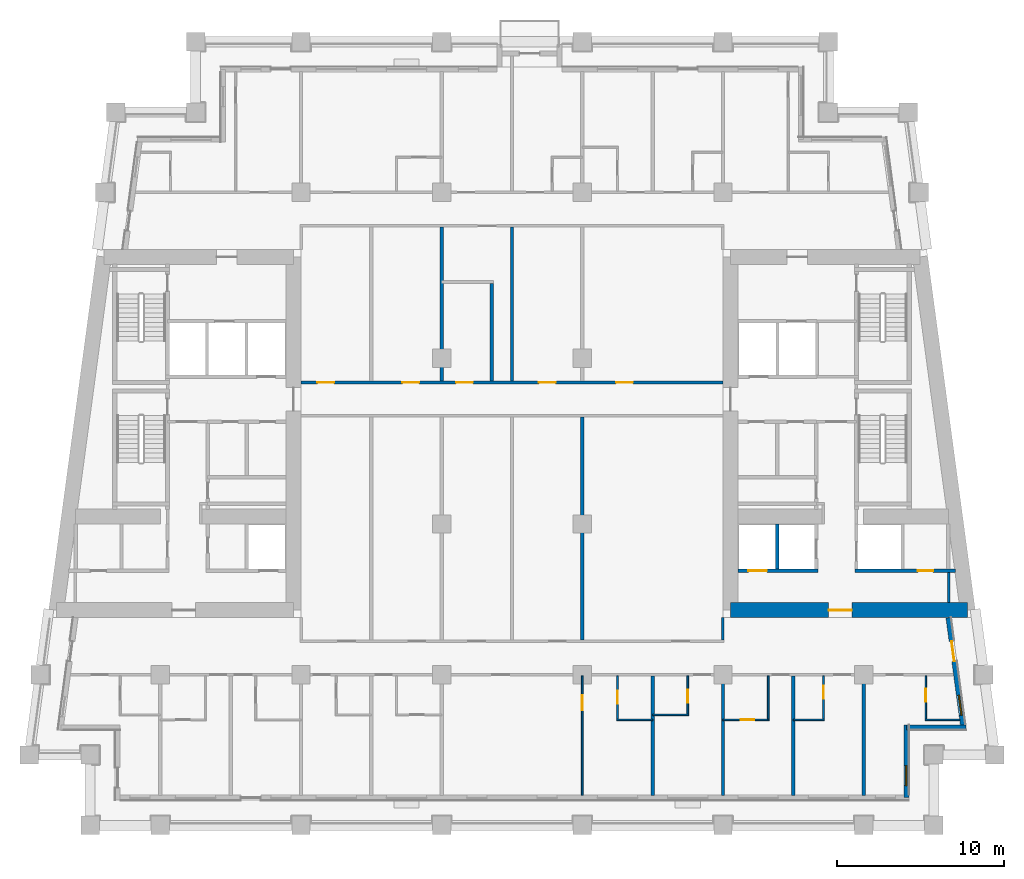
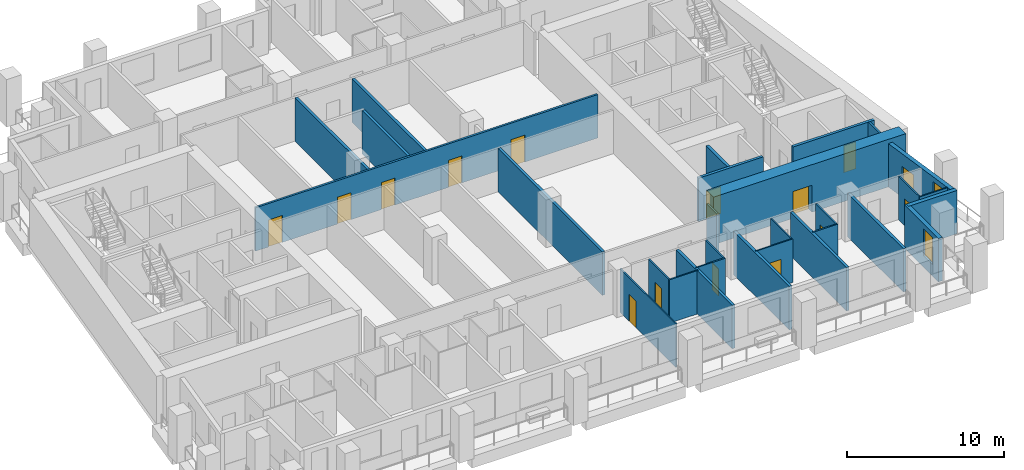
# One storey, part 5 of 13: 29 walls, 15 doors, 2 windows, 17 openings.
"""IFC4 building model written with IfcOpenShell, lengths in metres."""

from ifc_helpers import new_model, si_unit, direction, frame, frame_2d, origin, place, context, subcontext, project, spatial, rectangle, extrude, material, layer, layer_set, type_object, element, fill, save


model = new_model("IFC4")

# Units and contexts
model_context = context("Model", 3, precision=1e-05, world=origin(), true_north=direction((0.0, 1.0)))
body_context = subcontext(model_context, "Body", "Model", "MODEL_VIEW")
ifc_project = project(units=[si_unit("LENGTHUNIT", "METRE"), si_unit("AREAUNIT", "SQUARE_METRE"), si_unit("VOLUMEUNIT", "CUBIC_METRE"), si_unit("PLANEANGLEUNIT", "RADIAN"), si_unit("MASSUNIT", "GRAM", prefix="KILO")], contexts=[model_context])

# Site, building, storey
site_placement = place(None, origin())
site = spatial("IfcSite", under=ifc_project, at=site_placement, CompositionType="ELEMENT")
building_placement = place(site_placement, origin())
building = spatial("IfcBuilding", under=site, at=building_placement, Name="Candeia Pilgrim Tower and Theatre", CompositionType="ELEMENT")
storey_placement = place(building_placement, frame((0.0, 0.0, 181.10009765625)))
storey = spatial("IfcBuildingStorey", under=building, at=storey_placement, Name="L43", CompositionType="ELEMENT", Elevation=181.10009765625)

# Wall, opening, door
ifc_material_1 = material(Name="Concrete C60/75", Category="concrete")
ifc_layer_1 = layer(ifc_material_1, 0.89990234375)
ifc_layer_set_1 = layer_set([ifc_layer_1], Name="Core wall 900 C60/75")
wall_type_1 = type_object("IfcWallType", Name="Core wall 900 C60/75", PredefinedType="SHEAR", material=ifc_layer_set_1)
wall_1_placement = place(storey_placement, frame((140.6162109375, 110.85009765625, 0.0), z_axis=(0.0, 0.0, 1.0), x_axis=(-1.0, 0.0, 0.0)))
wall_1 = element("IfcWall", 1, at=wall_1_placement, inside=storey, type_object=wall_type_1, Name="Core wall E3", PredefinedType="SHEAR", context=body_context, shape_type="SweptSolid", body=[
    extrude(rectangle(XDim=14.166259765625, YDim=0.89990234375, at=frame_2d((7.0830078125, 0.0))), origin(), (0.0, 0.0, 1.0), 3.699951171875),
])
opening_1_placement = place(wall_1_placement, frame((6.911376953125, 0.0, 0.0)))
opening_1 = element("IfcOpeningElement", 2, at=opening_1_placement, cuts=wall_1, Name="Opening L43-D067", PredefinedType="OPENING", context=body_context, shape_type="SweptSolid", body=[
    extrude(rectangle(XDim=1.39990234375, YDim=2.10009765625, at=frame_2d((0.699951171875, 1.050048828125))), frame((0.0, 0.4599609375, 0.0), z_axis=(0.0, -1.0, 0.0), x_axis=(1.0, 0.0, 0.0)), (0.0, 0.0, 1.0), 0.919921875),
])
ifc_material_2 = material(Name="Steel fire door set", Category="steel")
door_type_1 = type_object("IfcDoorType", Name="D-1400-FD60", OperationType="NOTDEFINED", PredefinedType="DOOR", material=ifc_material_2)
door_1_placement = place(opening_1_placement, origin())
door_1 = element("IfcDoor", 3, at=door_1_placement, inside=storey, type_object=door_type_1, Name="Door L43-D067", OperationType="SINGLE_SWING_RIGHT", OverallHeight=2.10009765625, OverallWidth=1.39990234375, PredefinedType="DOOR", context=body_context, shape_type="SweptSolid", body=[
    extrude(rectangle(XDim=1.39990234375, YDim=2.10009765625, at=frame_2d((0.699951171875, 1.050048828125))), frame((0.0, 0.02490234375, 0.0), z_axis=(0.0, -1.0, 0.0), x_axis=(1.0, 0.0, 0.0)), (0.0, 0.0, 1.0), 0.050048828125),
])
fill(opening_1, door_1)

# Wall, opening, window
ifc_material_3 = material(Name="Ceramic block masonry", Category="masonry")
ifc_layer_2 = layer(ifc_material_3, 0.300048828125)
ifc_layer_set_2 = layer_set([ifc_layer_2], Name="EW1 glazing-line wall 300")
wall_type_2 = type_object("IfcWallType", Name="EW1 glazing-line wall 300", PredefinedType="SOLIDWALL", material=ifc_layer_set_2)
wall_2_placement = place(storey_placement, frame((136.949951171875, 99.64990234375, 0.0), z_axis=(0.0, 0.0, 1.0), x_axis=(0.0, 1.0, 0.0)))
wall_2 = element("IfcWall", 4, at=wall_2_placement, inside=storey, type_object=wall_type_2, Name="External wall L43-1.0", PredefinedType="SOLIDWALL", context=body_context, shape_type="SweptSolid", body=[
    extrude(rectangle(XDim=4.35009765625, YDim=0.300048828125, at=frame_2d((2.175048828125, 0.0))), origin(), (0.0, 0.0, 1.0), 3.3798828125),
])
opening_2_placement = place(wall_2_placement, frame((0.72509765625, 0.0, 0.89990234375)))
opening_2 = element("IfcOpeningElement", 5, at=opening_2_placement, cuts=wall_2, Name="Opening W-B", PredefinedType="OPENING", context=body_context, shape_type="SweptSolid", body=[
    extrude(rectangle(XDim=1.199951171875, YDim=2.10009765625, at=frame_2d((0.60009765625, 1.050048828125))), frame((0.0, 0.16015625, 0.0), z_axis=(0.0, -1.0, 0.0), x_axis=(1.0, 0.0, 0.0)), (0.0, 0.0, 1.0), 0.320068359375),
])
ifc_material_4 = material(Name="Aluminium framed double glazing", Category="aluminium")
window_type = type_object("IfcWindowType", Name="W-B window 1200x2100", PartitioningType="SINGLE_PANEL", PredefinedType="WINDOW", material=ifc_material_4)
window_1_placement = place(opening_2_placement, origin())
window_1 = element("IfcWindow", 6, at=window_1_placement, inside=storey, type_object=window_type, Name="Window W-B L43", OverallHeight=2.10009765625, OverallWidth=1.199951171875, PartitioningType="SINGLE_PANEL", PredefinedType="WINDOW", context=body_context, shape_type="SweptSolid", body=[
    extrude(rectangle(XDim=1.199951171875, YDim=2.10009765625, at=frame_2d((0.60009765625, 1.050048828125))), frame((0.0, 0.030029296875, 0.0), z_axis=(0.0, -1.0, 0.0), x_axis=(1.0, 0.0, 0.0)), (0.0, 0.0, 1.0), 0.06005859375),
])
fill(opening_2, window_1)

# Wall
wall_3_placement = place(storey_placement, frame((136.949951171875, 103.85009765625, 0.0), z_axis=(0.0, 0.0, 1.0), x_axis=(1.0, 0.0, 0.0)))
element("IfcWall", 7, at=wall_3_placement, inside=storey, type_object=wall_type_2, Name="External wall L43-2.0", PredefinedType="SOLIDWALL", context=body_context, shape_type="SweptSolid", body=[
    extrude(rectangle(XDim=3.569091796875, YDim=0.300048828125, at=frame_2d((1.78466796875, 0.0))), origin(), (0.0, 0.0, 1.0), 3.3798828125),
])

# Wall, openings, door, window
wall_4_placement = place(storey_placement, frame((140.34765625, 103.85009765625, 0.0), z_axis=(0.0, 0.0, 1.0), x_axis=(-0.133431549479, 0.991058031401, 0.0)))
wall_4 = element("IfcWall", 8, at=wall_4_placement, inside=storey, type_object=wall_type_2, Name="External wall L43-3.0", PredefinedType="SOLIDWALL", context=body_context, shape_type="SweptSolid", body=[
    extrude(rectangle(XDim=6.60888671875, YDim=0.300048828125, at=frame_2d((3.304443359375, 0.0))), origin(), (0.0, 0.0, 1.0), 3.3798828125),
])
opening_3_placement = place(wall_4_placement, frame((0.736572265625, 0.0, 0.89990234375)))
opening_3 = element("IfcOpeningElement", 9, at=opening_3_placement, cuts=wall_4, Name="Opening W-B", PredefinedType="OPENING", context=body_context, shape_type="SweptSolid", body=[
    extrude(rectangle(XDim=1.199951171875, YDim=2.10009765625, at=frame_2d((0.60009765625, 1.050048828125))), frame((0.0, 0.16015625, 0.0), z_axis=(0.0, -1.0, 0.0), x_axis=(1.0, 0.0, 0.0)), (0.0, 0.0, 1.0), 0.320068359375),
])
opening_4_placement = place(wall_4_placement, frame((3.990966796875, 0.0, 0.0)))
opening_4 = element("IfcOpeningElement", 10, at=opening_4_placement, cuts=wall_4, Name="Opening L43-ED412", PredefinedType="OPENING", context=body_context, shape_type="SweptSolid", body=[
    extrude(rectangle(XDim=1.199951171875, YDim=2.39990234375, at=frame_2d((0.60009765625, 1.199951171875))), frame((0.0, 0.16015625, 0.0), z_axis=(0.0, -1.0, 0.0), x_axis=(1.0, 0.0, 0.0)), (0.0, 0.0, 1.0), 0.320068359375),
])
ifc_material_5 = material(Name="Aluminium framed glazed door", Category="aluminium")
door_type_2 = type_object("IfcDoorType", Name="Loggia door 1200x2400", OperationType="DOUBLE_DOOR_SINGLE_SWING", PredefinedType="DOOR", material=ifc_material_5)
door_2_placement = place(opening_4_placement, origin())
door_2 = element("IfcDoor", 11, at=door_2_placement, inside=storey, type_object=door_type_2, Name="Loggia door L43-ED412", OperationType="DOUBLE_DOOR_SINGLE_SWING", OverallHeight=2.39990234375, OverallWidth=1.199951171875, PredefinedType="DOOR", context=body_context, shape_type="SweptSolid", body=[
    extrude(rectangle(XDim=1.199951171875, YDim=2.39990234375, at=frame_2d((0.60009765625, 1.199951171875))), frame((0.0, 0.02490234375, 0.0), z_axis=(0.0, -1.0, 0.0), x_axis=(1.0, 0.0, 0.0)), (0.0, 0.0, 1.0), 0.050048828125),
])
fill(opening_4, door_2)
window_2_placement = place(opening_3_placement, origin())
window_2 = element("IfcWindow", 12, at=window_2_placement, inside=storey, type_object=window_type, Name="Window W-B L43", OverallHeight=2.10009765625, OverallWidth=1.199951171875, PartitioningType="SINGLE_PANEL", PredefinedType="WINDOW", context=body_context, shape_type="SweptSolid", body=[
    extrude(rectangle(XDim=1.199951171875, YDim=2.10009765625, at=frame_2d((0.60009765625, 1.050048828125))), frame((0.0, 0.030029296875, 0.0), z_axis=(0.0, -1.0, 0.0), x_axis=(1.0, 0.0, 0.0)), (0.0, 0.0, 1.0), 0.06005859375),
])
fill(opening_3, window_2)

# Wall
ifc_material_6 = material(Name="Gypsum board partition on steel studs", Category="steel")
ifc_layer_3 = layer(ifc_material_6, 0.10009765625)
ifc_layer_set_3 = layer_set([ifc_layer_3], Name="PW-100 room partition")
wall_type_3 = type_object("IfcWallType", Name="PW-100 room partition", PredefinedType="PARTITIONING", material=ifc_layer_set_3)
wall_5_placement = place(storey_placement, frame((119.64990234375, 104.300048828125, 0.0), z_axis=(0.0, 0.0, 1.0), x_axis=(1.0, 0.0, 0.0)))
element("IfcWall", 13, at=wall_5_placement, inside=storey, type_object=wall_type_3, Name="Room partition L43-003", PredefinedType="PARTITIONING", context=body_context, shape_type="SweptSolid", body=[
    extrude(rectangle(XDim=2.150146484375, YDim=0.10009765625, at=frame_2d((1.0751953125, 0.0))), origin(), (0.0, 0.0, 1.0), 3.3798828125),
])

# Wall, opening, door
wall_6_placement = place(storey_placement, frame((126.0, 104.300048828125, 0.0), z_axis=(0.0, 0.0, 1.0), x_axis=(1.0, 0.0, 0.0)))
wall_6 = element("IfcWall", 14, at=wall_6_placement, inside=storey, type_object=wall_type_3, Name="Room partition L43-004", PredefinedType="PARTITIONING", context=body_context, shape_type="SweptSolid", body=[
    extrude(rectangle(XDim=2.75, YDim=0.10009765625, at=frame_2d((1.375, 0.0))), origin(), (0.0, 0.0, 1.0), 3.3798828125),
])
opening_5_placement = place(wall_6_placement, frame((1.070068359375, 0.0, 0.0)))
opening_5 = element("IfcOpeningElement", 15, at=opening_5_placement, cuts=wall_6, Name="Opening L43-D033", PredefinedType="OPENING", context=body_context, shape_type="SweptSolid", body=[
    extrude(rectangle(XDim=0.800048828125, YDim=2.10009765625, at=frame_2d((0.39990234375, 1.050048828125))), frame((0.0, 0.06005859375, 0.0), z_axis=(0.0, -1.0, 0.0), x_axis=(1.0, 0.0, 0.0)), (0.0, 0.0, 1.0), 0.1201171875),
])
ifc_material_7 = material(Name="Timber door leaf", Category="wood")
door_type_3 = type_object("IfcDoorType", Name="D-800", OperationType="NOTDEFINED", PredefinedType="DOOR", material=ifc_material_7)
door_3_placement = place(opening_5_placement, origin())
door_3 = element("IfcDoor", 16, at=door_3_placement, inside=storey, type_object=door_type_3, Name="Door L43-D033", OperationType="SINGLE_SWING_RIGHT", OverallHeight=2.10009765625, OverallWidth=0.800048828125, PredefinedType="DOOR", context=body_context, shape_type="SweptSolid", body=[
    extrude(rectangle(XDim=0.800048828125, YDim=2.10009765625, at=frame_2d((0.39990234375, 1.050048828125))), frame((0.0, 0.02490234375, 0.0), z_axis=(0.0, -1.0, 0.0), x_axis=(1.0, 0.0, 0.0)), (0.0, 0.0, 1.0), 0.050048828125),
])
fill(opening_5, door_3)

# Walls
wall_7_placement = place(storey_placement, frame((130.199951171875, 104.300048828125, 0.0), z_axis=(0.0, 0.0, 1.0), x_axis=(1.0, 0.0, 0.0)))
element("IfcWall", 17, at=wall_7_placement, inside=storey, type_object=wall_type_3, Name="Room partition L43-005", PredefinedType="PARTITIONING", context=body_context, shape_type="SweptSolid", body=[
    extrude(rectangle(XDim=1.85009765625, YDim=0.10009765625, at=frame_2d((0.925048828125, 0.0))), origin(), (0.0, 0.0, 1.0), 3.3798828125),
])
wall_8_placement = place(storey_placement, frame((138.070068359375, 104.300048828125, 0.0), z_axis=(0.0, 0.0, 1.0), x_axis=(1.0, 0.0, 0.0)))
element("IfcWall", 18, at=wall_8_placement, inside=storey, type_object=wall_type_3, Name="Room partition L43-006", PredefinedType="PARTITIONING", context=body_context, shape_type="SweptSolid", body=[
    extrude(rectangle(XDim=2.07568359375, YDim=0.10009765625, at=frame_2d((1.037841796875, 0.0))), origin(), (0.0, 0.0, 1.0), 3.3798828125),
])
wall_9_placement = place(storey_placement, frame((121.800048828125, 104.60009765625, 0.0), z_axis=(0.0, 0.0, 1.0), x_axis=(1.0, 0.0, 0.0)))
element("IfcWall", 19, at=wall_9_placement, inside=storey, type_object=wall_type_3, Name="Room partition L43-010", PredefinedType="PARTITIONING", context=body_context, shape_type="SweptSolid", body=[
    extrude(rectangle(XDim=2.14990234375, YDim=0.10009765625, at=frame_2d((1.074951171875, 0.0))), origin(), (0.0, 0.0, 1.0), 3.3798828125),
])

# Wall, opening, door
wall_10_placement = place(storey_placement, frame((117.60009765625, 99.7900390625, 0.0), z_axis=(0.0, 0.0, 1.0), x_axis=(0.0, 1.0, 0.0)))
wall_10 = element("IfcWall", 20, at=wall_10_placement, inside=storey, type_object=wall_type_3, Name="Room partition L43-095", PredefinedType="PARTITIONING", context=body_context, shape_type="SweptSolid", body=[
    extrude(rectangle(XDim=7.135009765625, YDim=0.10009765625, at=frame_2d((3.5673828125, 0.0))), origin(), (0.0, 0.0, 1.0), 3.3798828125),
])
opening_6_placement = place(wall_10_placement, frame((5.074951171875, 0.0, 0.0)))
opening_6 = element("IfcOpeningElement", 21, at=opening_6_placement, cuts=wall_10, Name="Opening L43-D028", PredefinedType="OPENING", context=body_context, shape_type="SweptSolid", body=[
    extrude(rectangle(XDim=0.89990234375, YDim=2.10009765625, at=frame_2d((0.449951171875, 1.050048828125))), frame((0.0, 0.06005859375, 0.0), z_axis=(0.0, -1.0, 0.0), x_axis=(1.0, 0.0, 0.0)), (0.0, 0.0, 1.0), 0.1201171875),
])
door_type_4 = type_object("IfcDoorType", Name="D-900", OperationType="NOTDEFINED", PredefinedType="DOOR", material=ifc_material_7)
door_4_placement = place(opening_6_placement, origin())
door_4 = element("IfcDoor", 22, at=door_4_placement, inside=storey, type_object=door_type_4, Name="Door L43-D028", OperationType="SINGLE_SWING_LEFT", OverallHeight=2.10009765625, OverallWidth=0.89990234375, PredefinedType="DOOR", context=body_context, shape_type="SweptSolid", body=[
    extrude(rectangle(XDim=0.89990234375, YDim=2.10009765625, at=frame_2d((0.449951171875, 1.050048828125))), frame((0.0, 0.02490234375, 0.0), z_axis=(0.0, -1.0, 0.0), x_axis=(1.0, 0.0, 0.0)), (0.0, 0.0, 1.0), 0.050048828125),
])
fill(opening_6, door_4)

wall_11_placement = place(storey_placement, frame((119.699951171875, 104.35009765625, 0.0), z_axis=(0.0, 0.0, 1.0), x_axis=(0.0, 1.0, 0.0)))
wall_11 = element("IfcWall", 23, at=wall_11_placement, inside=storey, type_object=wall_type_3, Name="Room partition L43-099", PredefinedType="PARTITIONING", context=body_context, shape_type="SweptSolid", body=[
    extrude(rectangle(XDim=2.574951171875, YDim=0.10009765625, at=frame_2d((1.28759765625, 0.0))), origin(), (0.0, 0.0, 1.0), 3.3798828125),
])
opening_7_placement = place(wall_11_placement, frame((0.89990234375, 0.0, 0.0)))
opening_7 = element("IfcOpeningElement", 24, at=opening_7_placement, cuts=wall_11, Name="Opening L43-D029", PredefinedType="OPENING", context=body_context, shape_type="SweptSolid", body=[
    extrude(rectangle(XDim=0.800048828125, YDim=2.10009765625, at=frame_2d((0.39990234375, 1.050048828125))), frame((0.0, 0.06005859375, 0.0), z_axis=(0.0, -1.0, 0.0), x_axis=(1.0, 0.0, 0.0)), (0.0, 0.0, 1.0), 0.1201171875),
])
door_5_placement = place(opening_7_placement, origin())
door_5 = element("IfcDoor", 25, at=door_5_placement, inside=storey, type_object=door_type_3, Name="Door L43-D029", OperationType="SINGLE_SWING_RIGHT", OverallHeight=2.10009765625, OverallWidth=0.800048828125, PredefinedType="DOOR", context=body_context, shape_type="SweptSolid", body=[
    extrude(rectangle(XDim=0.800048828125, YDim=2.10009765625, at=frame_2d((0.39990234375, 1.050048828125))), frame((0.0, 0.02490234375, 0.0), z_axis=(0.0, -1.0, 0.0), x_axis=(1.0, 0.0, 0.0)), (0.0, 0.0, 1.0), 0.050048828125),
])
fill(opening_7, door_5)

wall_12_placement = place(storey_placement, frame((123.89990234375, 104.64990234375, 0.0), z_axis=(0.0, 0.0, 1.0), x_axis=(0.0, 1.0, 0.0)))
wall_12 = element("IfcWall", 26, at=wall_12_placement, inside=storey, type_object=wall_type_3, Name="Room partition L43-103", PredefinedType="PARTITIONING", context=body_context, shape_type="SweptSolid", body=[
    extrude(rectangle(XDim=2.275146484375, YDim=0.10009765625, at=frame_2d((1.1376953125, 0.0))), origin(), (0.0, 0.0, 1.0), 3.3798828125),
])
opening_8_placement = place(wall_12_placement, frame((0.659912109375, 0.0, 0.0)))
opening_8 = element("IfcOpeningElement", 27, at=opening_8_placement, cuts=wall_12, Name="Opening L43-D031", PredefinedType="OPENING", context=body_context, shape_type="SweptSolid", body=[
    extrude(rectangle(XDim=0.800048828125, YDim=2.10009765625, at=frame_2d((0.39990234375, 1.050048828125))), frame((0.0, 0.06005859375, 0.0), z_axis=(0.0, -1.0, 0.0), x_axis=(1.0, 0.0, 0.0)), (0.0, 0.0, 1.0), 0.1201171875),
])
door_6_placement = place(opening_8_placement, origin())
door_6 = element("IfcDoor", 28, at=door_6_placement, inside=storey, type_object=door_type_3, Name="Door L43-D031", OperationType="SINGLE_SWING_RIGHT", OverallHeight=2.10009765625, OverallWidth=0.800048828125, PredefinedType="DOOR", context=body_context, shape_type="SweptSolid", body=[
    extrude(rectangle(XDim=0.800048828125, YDim=2.10009765625, at=frame_2d((0.39990234375, 1.050048828125))), frame((0.0, 0.02490234375, 0.0), z_axis=(0.0, -1.0, 0.0), x_axis=(1.0, 0.0, 0.0)), (0.0, 0.0, 1.0), 0.050048828125),
])
fill(opening_8, door_6)

# Wall
wall_13_placement = place(storey_placement, frame((128.699951171875, 104.35009765625, 0.0), z_axis=(0.0, 0.0, 1.0), x_axis=(0.0, 1.0, 0.0)))
element("IfcWall", 29, at=wall_13_placement, inside=storey, type_object=wall_type_3, Name="Room partition L43-109", PredefinedType="PARTITIONING", context=body_context, shape_type="SweptSolid", body=[
    extrude(rectangle(XDim=2.574951171875, YDim=0.10009765625, at=frame_2d((1.28759765625, 0.0))), origin(), (0.0, 0.0, 1.0), 3.3798828125),
])

# Wall, opening, door
wall_14_placement = place(storey_placement, frame((132.0, 104.35009765625, 0.0), z_axis=(0.0, 0.0, 1.0), x_axis=(0.0, 1.0, 0.0)))
wall_14 = element("IfcWall", 30, at=wall_14_placement, inside=storey, type_object=wall_type_3, Name="Room partition L43-118", PredefinedType="PARTITIONING", context=body_context, shape_type="SweptSolid", body=[
    extrude(rectangle(XDim=2.574951171875, YDim=0.10009765625, at=frame_2d((1.28759765625, 0.0))), origin(), (0.0, 0.0, 1.0), 3.3798828125),
])
opening_9_placement = place(wall_14_placement, frame((1.199951171875, 0.0, 0.0)))
opening_9 = element("IfcOpeningElement", 31, at=opening_9_placement, cuts=wall_14, Name="Opening L43-D035", PredefinedType="OPENING", context=body_context, shape_type="SweptSolid", body=[
    extrude(rectangle(XDim=0.800048828125, YDim=2.10009765625, at=frame_2d((0.39990234375, 1.050048828125))), frame((0.0, 0.06005859375, 0.0), z_axis=(0.0, -1.0, 0.0), x_axis=(1.0, 0.0, 0.0)), (0.0, 0.0, 1.0), 0.1201171875),
])
door_7_placement = place(opening_9_placement, origin())
door_7 = element("IfcDoor", 32, at=door_7_placement, inside=storey, type_object=door_type_3, Name="Door L43-D035", OperationType="SINGLE_SWING_RIGHT", OverallHeight=2.10009765625, OverallWidth=0.800048828125, PredefinedType="DOOR", context=body_context, shape_type="SweptSolid", body=[
    extrude(rectangle(XDim=0.800048828125, YDim=2.10009765625, at=frame_2d((0.39990234375, 1.050048828125))), frame((0.0, 0.02490234375, 0.0), z_axis=(0.0, -1.0, 0.0), x_axis=(1.0, 0.0, 0.0)), (0.0, 0.0, 1.0), 0.050048828125),
])
fill(opening_9, door_7)

wall_15_placement = place(storey_placement, frame((138.1201171875, 104.35009765625, 0.0), z_axis=(0.0, 0.0, 1.0), x_axis=(0.0, 1.0, 0.0)))
wall_15 = element("IfcWall", 33, at=wall_15_placement, inside=storey, type_object=wall_type_3, Name="Room partition L43-130", PredefinedType="PARTITIONING", context=body_context, shape_type="SweptSolid", body=[
    extrude(rectangle(XDim=2.574951171875, YDim=0.10009765625, at=frame_2d((1.28759765625, 0.0))), origin(), (0.0, 0.0, 1.0), 3.3798828125),
])
opening_10_placement = place(wall_15_placement, frame((1.02001953125, 0.0, 0.0)))
opening_10 = element("IfcOpeningElement", 34, at=opening_10_placement, cuts=wall_15, Name="Opening L43-D037", PredefinedType="OPENING", context=body_context, shape_type="SweptSolid", body=[
    extrude(rectangle(XDim=0.800048828125, YDim=2.10009765625, at=frame_2d((0.39990234375, 1.050048828125))), frame((0.0, 0.06005859375, 0.0), z_axis=(0.0, -1.0, 0.0), x_axis=(1.0, 0.0, 0.0)), (0.0, 0.0, 1.0), 0.1201171875),
])
door_8_placement = place(opening_10_placement, origin())
door_8 = element("IfcDoor", 35, at=door_8_placement, inside=storey, type_object=door_type_3, Name="Door L43-D037", OperationType="SINGLE_SWING_RIGHT", OverallHeight=2.10009765625, OverallWidth=0.800048828125, PredefinedType="DOOR", context=body_context, shape_type="SweptSolid", body=[
    extrude(rectangle(XDim=0.800048828125, YDim=2.10009765625, at=frame_2d((0.39990234375, 1.050048828125))), frame((0.0, 0.02490234375, 0.0), z_axis=(0.0, -1.0, 0.0), x_axis=(1.0, 0.0, 0.0)), (0.0, 0.0, 1.0), 0.050048828125),
])
fill(opening_10, door_8)

# Wall
ifc_layer_4 = layer(ifc_material_6, 0.14990234375)
ifc_layer_set_4 = layer_set([ifc_layer_4], Name="PW-150 lobby wall")
wall_type_4 = type_object("IfcWallType", Name="PW-150 lobby wall", PredefinedType="PARTITIONING", material=ifc_layer_set_4)
wall_16_placement = place(storey_placement, frame((139.471923828125, 111.300048828125, 0.0), z_axis=(0.0, 0.0, 1.0), x_axis=(0.0, 1.0, 0.0)))
element("IfcWall", 36, at=wall_16_placement, inside=storey, type_object=wall_type_4, Name="Lobby wall L43-132", PredefinedType="PARTITIONING", context=body_context, shape_type="SweptSolid", body=[
    extrude(rectangle(XDim=1.800048828125, YDim=0.14990234375, at=frame_2d((0.89990234375, 0.0))), origin(), (0.0, 0.0, 1.0), 3.3798828125),
])

# Wall, openings, doors
ifc_layer_5 = layer(ifc_material_6, 0.14990234375)
ifc_layer_set_5 = layer_set([ifc_layer_5], Name="PW-150 unit wall")
wall_type_5 = type_object("IfcWallType", Name="PW-150 unit wall", PredefinedType="PARTITIONING", material=ifc_layer_set_5)
wall_17_placement = place(storey_placement, frame((100.800048828125, 124.449951171875, 0.0), z_axis=(0.0, 0.0, 1.0), x_axis=(1.0, 0.0, 0.0)))
wall_17 = element("IfcWall", 37, at=wall_17_placement, inside=storey, type_object=wall_type_5, Name="Unit wall L43-034", PredefinedType="PARTITIONING", context=body_context, shape_type="SweptSolid", body=[
    extrude(rectangle(XDim=25.199951171875, YDim=0.14990234375, at=frame_2d((12.60009765625, 0.0))), origin(), (0.0, 0.0, 1.0), 3.3798828125),
])
opening_11_placement = place(wall_17_placement, frame((0.97509765625, 0.0, 0.0)))
opening_11 = element("IfcOpeningElement", 38, at=opening_11_placement, cuts=wall_17, Name="Opening L43-D059", PredefinedType="OPENING", context=body_context, shape_type="SweptSolid", body=[
    extrude(rectangle(XDim=1.0, YDim=2.10009765625, at=frame_2d((0.5, 1.050048828125))), frame((0.0, 0.0849609375, 0.0), z_axis=(0.0, -1.0, 0.0), x_axis=(1.0, 0.0, 0.0)), (0.0, 0.0, 1.0), 0.169921875),
])
opening_12_placement = place(wall_17_placement, frame((6.050048828125, 0.0, 0.0)))
opening_12 = element("IfcOpeningElement", 39, at=opening_12_placement, cuts=wall_17, Name="Opening L43-D060", PredefinedType="OPENING", context=body_context, shape_type="SweptSolid", body=[
    extrude(rectangle(XDim=1.0, YDim=2.10009765625, at=frame_2d((0.5, 1.050048828125))), frame((0.0, 0.0849609375, 0.0), z_axis=(0.0, -1.0, 0.0), x_axis=(1.0, 0.0, 0.0)), (0.0, 0.0, 1.0), 0.169921875),
])
opening_13_placement = place(wall_17_placement, frame((9.27001953125, 0.0, 0.0)))
opening_13 = element("IfcOpeningElement", 40, at=opening_13_placement, cuts=wall_17, Name="Opening L43-D061", PredefinedType="OPENING", context=body_context, shape_type="SweptSolid", body=[
    extrude(rectangle(XDim=1.0, YDim=2.10009765625, at=frame_2d((0.5, 1.050048828125))), frame((0.0, 0.0849609375, 0.0), z_axis=(0.0, -1.0, 0.0), x_axis=(1.0, 0.0, 0.0)), (0.0, 0.0, 1.0), 0.169921875),
])
opening_14_placement = place(wall_17_placement, frame((14.199951171875, 0.0, 0.0)))
opening_14 = element("IfcOpeningElement", 41, at=opening_14_placement, cuts=wall_17, Name="Opening L43-D062", PredefinedType="OPENING", context=body_context, shape_type="SweptSolid", body=[
    extrude(rectangle(XDim=1.0, YDim=2.10009765625, at=frame_2d((0.5, 1.050048828125))), frame((0.0, 0.0849609375, 0.0), z_axis=(0.0, -1.0, 0.0), x_axis=(1.0, 0.0, 0.0)), (0.0, 0.0, 1.0), 0.169921875),
])
opening_15_placement = place(wall_17_placement, frame((18.824951171875, 0.0, 0.0)))
opening_15 = element("IfcOpeningElement", 42, at=opening_15_placement, cuts=wall_17, Name="Opening L43-D063", PredefinedType="OPENING", context=body_context, shape_type="SweptSolid", body=[
    extrude(rectangle(XDim=1.0, YDim=2.10009765625, at=frame_2d((0.5, 1.050048828125))), frame((0.0, 0.0849609375, 0.0), z_axis=(0.0, -1.0, 0.0), x_axis=(1.0, 0.0, 0.0)), (0.0, 0.0, 1.0), 0.169921875),
])
door_type_5 = type_object("IfcDoorType", Name="D-1000-FD30S", OperationType="NOTDEFINED", PredefinedType="DOOR", material=ifc_material_2)
door_9_placement = place(opening_11_placement, origin())
door_9 = element("IfcDoor", 43, at=door_9_placement, inside=storey, type_object=door_type_5, Name="Door L43-D059", OperationType="SINGLE_SWING_RIGHT", OverallHeight=2.10009765625, OverallWidth=1.0, PredefinedType="DOOR", context=body_context, shape_type="SweptSolid", body=[
    extrude(rectangle(XDim=1.0, YDim=2.10009765625, at=frame_2d((0.5, 1.050048828125))), frame((0.0, 0.02490234375, 0.0), z_axis=(0.0, -1.0, 0.0), x_axis=(1.0, 0.0, 0.0)), (0.0, 0.0, 1.0), 0.050048828125),
])
fill(opening_11, door_9)
door_10_placement = place(opening_12_placement, origin())
door_10 = element("IfcDoor", 44, at=door_10_placement, inside=storey, type_object=door_type_5, Name="Door L43-D060", OperationType="SINGLE_SWING_LEFT", OverallHeight=2.10009765625, OverallWidth=1.0, PredefinedType="DOOR", context=body_context, shape_type="SweptSolid", body=[
    extrude(rectangle(XDim=1.0, YDim=2.10009765625, at=frame_2d((0.5, 1.050048828125))), frame((0.0, 0.02490234375, 0.0), z_axis=(0.0, -1.0, 0.0), x_axis=(1.0, 0.0, 0.0)), (0.0, 0.0, 1.0), 0.050048828125),
])
fill(opening_12, door_10)
door_11_placement = place(opening_13_placement, origin())
door_11 = element("IfcDoor", 45, at=door_11_placement, inside=storey, type_object=door_type_5, Name="Door L43-D061", OperationType="SINGLE_SWING_RIGHT", OverallHeight=2.10009765625, OverallWidth=1.0, PredefinedType="DOOR", context=body_context, shape_type="SweptSolid", body=[
    extrude(rectangle(XDim=1.0, YDim=2.10009765625, at=frame_2d((0.5, 1.050048828125))), frame((0.0, 0.02490234375, 0.0), z_axis=(0.0, -1.0, 0.0), x_axis=(1.0, 0.0, 0.0)), (0.0, 0.0, 1.0), 0.050048828125),
])
fill(opening_13, door_11)
door_12_placement = place(opening_14_placement, origin())
door_12 = element("IfcDoor", 46, at=door_12_placement, inside=storey, type_object=door_type_5, Name="Door L43-D062", OperationType="SINGLE_SWING_LEFT", OverallHeight=2.10009765625, OverallWidth=1.0, PredefinedType="DOOR", context=body_context, shape_type="SweptSolid", body=[
    extrude(rectangle(XDim=1.0, YDim=2.10009765625, at=frame_2d((0.5, 1.050048828125))), frame((0.0, 0.02490234375, 0.0), z_axis=(0.0, -1.0, 0.0), x_axis=(1.0, 0.0, 0.0)), (0.0, 0.0, 1.0), 0.050048828125),
])
fill(opening_14, door_12)
door_13_placement = place(opening_15_placement, origin())
door_13 = element("IfcDoor", 47, at=door_13_placement, inside=storey, type_object=door_type_5, Name="Door L43-D063", OperationType="SINGLE_SWING_RIGHT", OverallHeight=2.10009765625, OverallWidth=1.0, PredefinedType="DOOR", context=body_context, shape_type="SweptSolid", body=[
    extrude(rectangle(XDim=1.0, YDim=2.10009765625, at=frame_2d((0.5, 1.050048828125))), frame((0.0, 0.02490234375, 0.0), z_axis=(0.0, -1.0, 0.0), x_axis=(1.0, 0.0, 0.0)), (0.0, 0.0, 1.0), 0.050048828125),
])
fill(opening_15, door_13)

# Walls
wall_18_placement = place(storey_placement, frame((126.0, 109.074951171875, 0.0), z_axis=(0.0, 0.0, 1.0), x_axis=(0.0, 1.0, 0.0)))
element("IfcWall", 48, at=wall_18_placement, inside=storey, type_object=wall_type_5, Name="Unit wall L43-107", PredefinedType="PARTITIONING", context=body_context, shape_type="SweptSolid", body=[
    extrude(rectangle(XDim=1.324951171875, YDim=0.14990234375, at=frame_2d((0.66259765625, 0.0))), origin(), (0.0, 0.0, 1.0), 3.3798828125),
])
ifc_layer_6 = layer(ifc_material_6, 0.199951171875)
ifc_layer_set_6 = layer_set([ifc_layer_6], Name="PW-200 party wall")
wall_type_6 = type_object("IfcWallType", Name="PW-200 party wall", PredefinedType="PARTITIONING", material=ifc_layer_set_6)
wall_19_placement = place(storey_placement, frame((109.199951171875, 124.52490234375, 0.0), z_axis=(0.0, 0.0, 1.0), x_axis=(0.0, 1.0, 0.0)))
element("IfcWall", 49, at=wall_19_placement, inside=storey, type_object=wall_type_6, Name="Party wall L43-088", PredefinedType="PARTITIONING", context=body_context, shape_type="SweptSolid", body=[
    extrude(rectangle(XDim=9.2001953125, YDim=0.199951171875, at=frame_2d((4.60009765625, 0.0))), origin(), (0.0, 0.0, 1.0), 3.3798828125),
])
wall_20_placement = place(storey_placement, frame((112.199951171875, 124.52490234375, 0.0), z_axis=(0.0, 0.0, 1.0), x_axis=(0.0, 1.0, 0.0)))
element("IfcWall", 50, at=wall_20_placement, inside=storey, type_object=wall_type_6, Name="Party wall L43-090", PredefinedType="PARTITIONING", context=body_context, shape_type="SweptSolid", body=[
    extrude(rectangle(XDim=5.8251953125, YDim=0.199951171875, at=frame_2d((2.91259765625, 0.0))), origin(), (0.0, 0.0, 1.0), 3.3798828125),
])
wall_21_placement = place(storey_placement, frame((113.39990234375, 124.52490234375, 0.0), z_axis=(0.0, 0.0, 1.0), x_axis=(0.0, 1.0, 0.0)))
element("IfcWall", 51, at=wall_21_placement, inside=storey, type_object=wall_type_6, Name="Party wall L43-092", PredefinedType="PARTITIONING", context=body_context, shape_type="SweptSolid", body=[
    extrude(rectangle(XDim=9.2001953125, YDim=0.199951171875, at=frame_2d((4.60009765625, 0.0))), origin(), (0.0, 0.0, 1.0), 3.3798828125),
])
wall_22_placement = place(storey_placement, frame((117.60009765625, 109.074951171875, 0.0), z_axis=(0.0, 0.0, 1.0), x_axis=(0.0, 1.0, 0.0)))
element("IfcWall", 52, at=wall_22_placement, inside=storey, type_object=wall_type_6, Name="Party wall L43-096", PredefinedType="PARTITIONING", context=body_context, shape_type="SweptSolid", body=[
    extrude(rectangle(XDim=13.300048828125, YDim=0.199951171875, at=frame_2d((6.64990234375, 0.0))), origin(), (0.0, 0.0, 1.0), 3.3798828125),
])
for number, where, z_axis, x_axis, name in (
    (53, (121.800048828125, 99.7900390625, 0.0), (0.0, 0.0, 1.0), (0.0, 1.0, 0.0), "Party wall L43-101"),
    (54, (126.0, 99.7900390625, 0.0), (0.0, 0.0, 1.0), (0.0, 1.0, 0.0), "Party wall L43-105"),
    (55, (130.199951171875, 99.7900390625, 0.0), (0.0, 0.0, 1.0), (0.0, 1.0, 0.0), "Party wall L43-114"),
    (56, (134.39990234375, 99.7900390625, 0.0), (0.0, 0.0, 1.0), (0.0, 1.0, 0.0), "Party wall L43-126"),
):
    element("IfcWall", number, at=place(storey_placement, frame(where, z_axis=z_axis, x_axis=x_axis)), inside=storey, type_object=wall_type_6, Name=name, PredefinedType="PARTITIONING", context=body_context, shape_type="SweptSolid", body=[
        extrude(rectangle(XDim=7.135009765625, YDim=0.199951171875, at=frame_2d((3.5673828125, 0.0))), origin(), (0.0, 0.0, 1.0), 3.3798828125),
    ])

# Wall, opening, door
ifc_material_8 = material(Name="Concrete C40/50", Category="concrete")
ifc_layer_7 = layer(ifc_material_8, 0.199951171875)
ifc_layer_set_7 = layer_set([ifc_layer_7], Name="SW-200 shaft wall")
wall_type_7 = type_object("IfcWallType", Name="SW-200 shaft wall", PredefinedType="PARTITIONING", material=ifc_layer_set_7)
wall_23_placement = place(storey_placement, frame((126.89990234375, 113.199951171875, 0.0), z_axis=(0.0, 0.0, 1.0), x_axis=(1.0, 0.0, 0.0)))
wall_23 = element("IfcWall", 57, at=wall_23_placement, inside=storey, type_object=wall_type_7, Name="Shaft wall L43-015", PredefinedType="PARTITIONING", context=body_context, shape_type="SweptSolid", body=[
    extrude(rectangle(XDim=4.773193359375, YDim=0.199951171875, at=frame_2d((2.38671875, 0.0))), origin(), (0.0, 0.0, 1.0), 3.3798828125),
])
opening_16_placement = place(wall_23_placement, frame((0.617919921875, 0.0, 0.0)))
opening_16 = element("IfcOpeningElement", 58, at=opening_16_placement, cuts=wall_23, Name="Opening L43-LD08", PredefinedType="OPENING", context=body_context, shape_type="SweptSolid", body=[
    extrude(rectangle(XDim=1.10009765625, YDim=2.10009765625, at=frame_2d((0.550048828125, 1.050048828125))), frame((0.0, 0.10986328125, 0.0), z_axis=(0.0, -1.0, 0.0), x_axis=(1.0, 0.0, 0.0)), (0.0, 0.0, 1.0), 0.219970703125),
])
ifc_material_9 = material(Name="Glazed aluminium landing door", Category="aluminium")
door_type_6 = type_object("IfcDoorType", Name="LD-1100-EI120", OperationType="SLIDING_TO_LEFT", PredefinedType="DOOR", material=ifc_material_9)
door_14_placement = place(opening_16_placement, origin())
door_14 = element("IfcDoor", 59, at=door_14_placement, inside=storey, type_object=door_type_6, Name="Landing door 08 L43", OperationType="SLIDING_TO_LEFT", OverallHeight=2.10009765625, OverallWidth=1.10009765625, PredefinedType="DOOR", context=body_context, shape_type="SweptSolid", body=[
    extrude(rectangle(XDim=1.10009765625, YDim=2.10009765625, at=frame_2d((0.550048828125, 1.050048828125))), frame((0.0, 0.02490234375, 0.0), z_axis=(0.0, -1.0, 0.0), x_axis=(1.0, 0.0, 0.0)), (0.0, 0.0, 1.0), 0.050048828125),
])
fill(opening_16, door_14)

wall_24_placement = place(storey_placement, frame((133.873046875, 113.199951171875, 0.0), z_axis=(0.0, 0.0, 1.0), x_axis=(1.0, 0.0, 0.0)))
wall_24 = element("IfcWall", 60, at=wall_24_placement, inside=storey, type_object=wall_type_7, Name="Shaft wall L43-016", PredefinedType="PARTITIONING", context=body_context, shape_type="SweptSolid", body=[
    extrude(rectangle(XDim=6.002685546875, YDim=0.199951171875, at=frame_2d((3.00146484375, 0.0))), origin(), (0.0, 0.0, 1.0), 3.3798828125),
])
opening_17_placement = place(wall_24_placement, frame((3.77392578125, 0.0, 0.0)))
opening_17 = element("IfcOpeningElement", 61, at=opening_17_placement, cuts=wall_24, Name="Opening L43-D016", PredefinedType="OPENING", context=body_context, shape_type="SweptSolid", body=[
    extrude(rectangle(XDim=0.89990234375, YDim=2.10009765625, at=frame_2d((0.449951171875, 1.050048828125))), frame((0.0, 0.10986328125, 0.0), z_axis=(0.0, -1.0, 0.0), x_axis=(1.0, 0.0, 0.0)), (0.0, 0.0, 1.0), 0.219970703125),
])
door_type_7 = type_object("IfcDoorType", Name="D-900-FD60", OperationType="NOTDEFINED", PredefinedType="DOOR", material=ifc_material_2)
door_15_placement = place(opening_17_placement, origin())
door_15 = element("IfcDoor", 62, at=door_15_placement, inside=storey, type_object=door_type_7, Name="Door L43-D016", OperationType="SINGLE_SWING_LEFT", OverallHeight=2.10009765625, OverallWidth=0.89990234375, PredefinedType="DOOR", context=body_context, shape_type="SweptSolid", body=[
    extrude(rectangle(XDim=0.89990234375, YDim=2.10009765625, at=frame_2d((0.449951171875, 1.050048828125))), frame((0.0, 0.02490234375, 0.0), z_axis=(0.0, -1.0, 0.0), x_axis=(1.0, 0.0, 0.0)), (0.0, 0.0, 1.0), 0.050048828125),
])
fill(opening_17, door_15)

# Wall
wall_25_placement = place(storey_placement, frame((129.236572265625, 113.300048828125, 0.0), z_axis=(0.0, 0.0, 1.0), x_axis=(0.0, 1.0, 0.0)))
element("IfcWall", 63, at=wall_25_placement, inside=storey, type_object=wall_type_7, Name="Shaft wall L43-110", PredefinedType="PARTITIONING", context=body_context, shape_type="SweptSolid", body=[
    extrude(rectangle(XDim=2.699951171875, YDim=0.199951171875, at=frame_2d((1.35009765625, 0.0))), origin(), (0.0, 0.0, 1.0), 3.3798828125),
])

save(model, "model.ifc")
